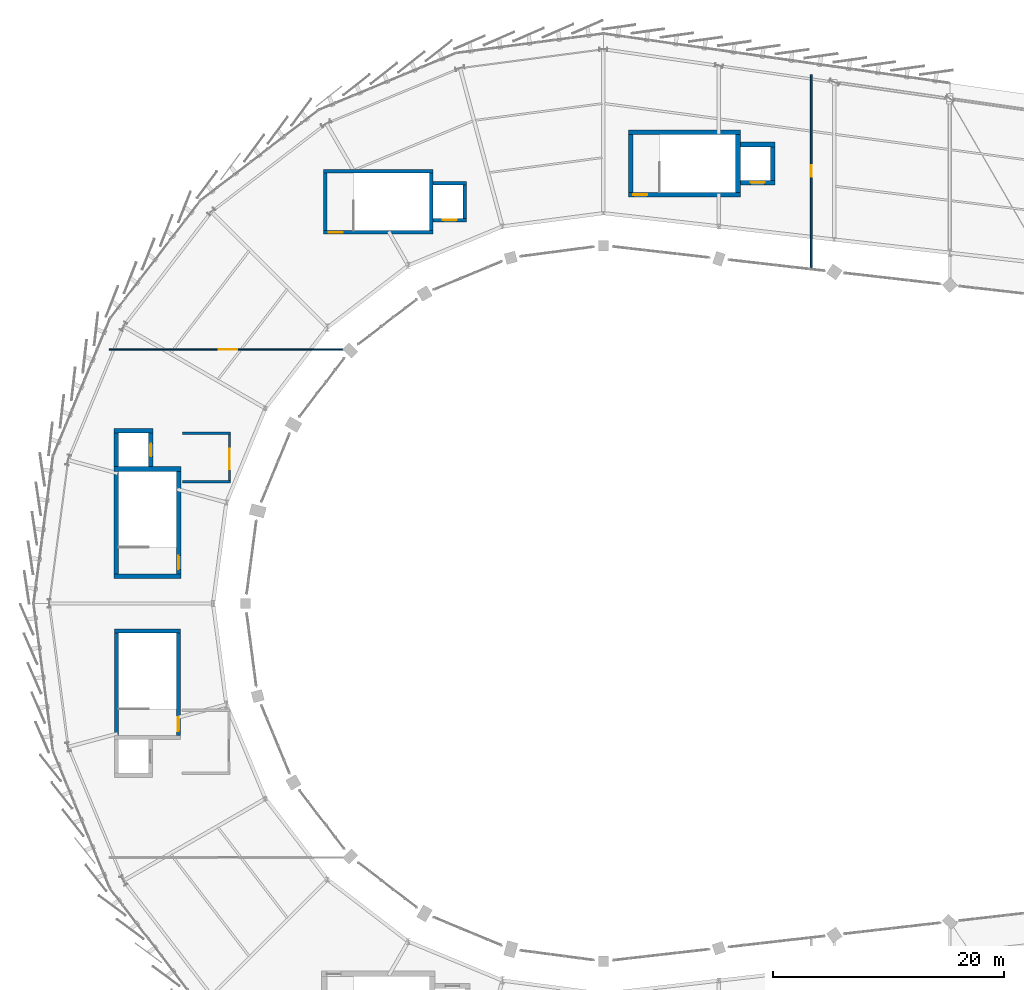
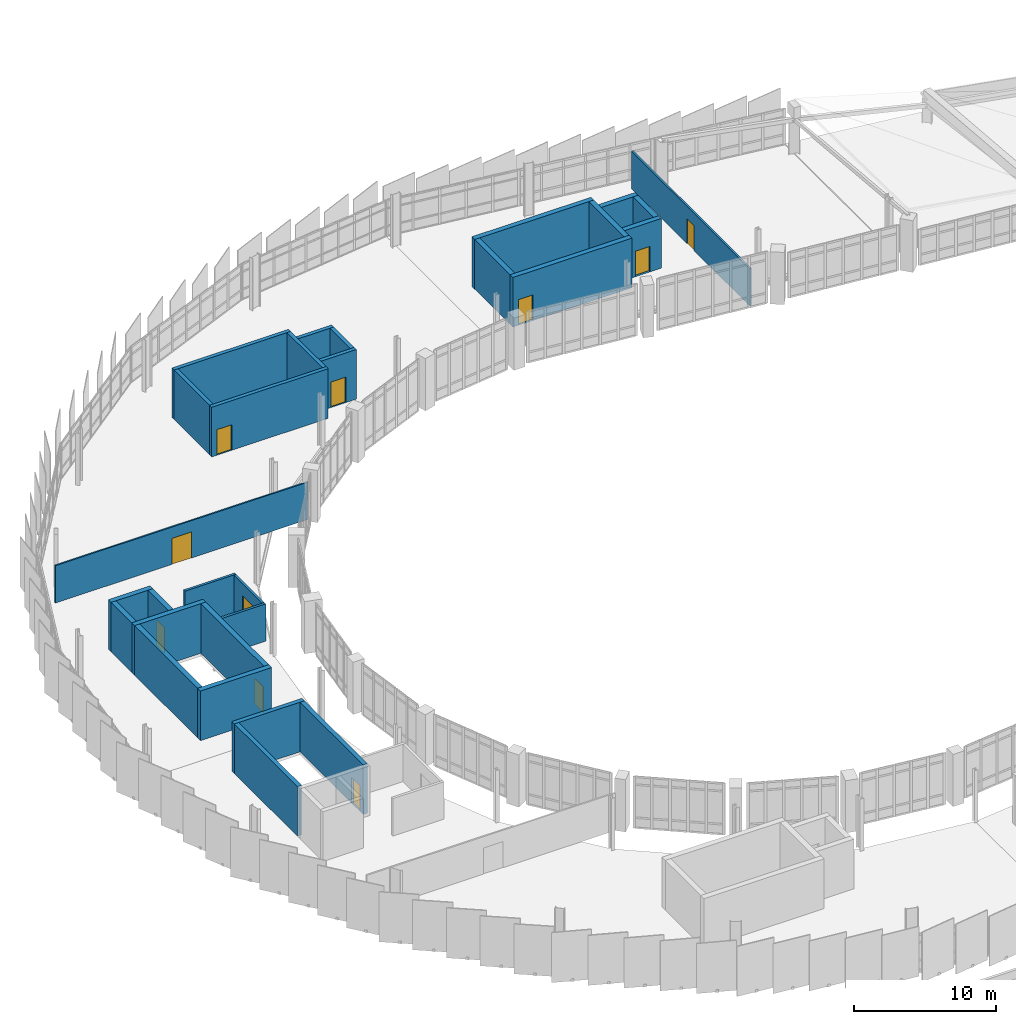
# One storey, part 63 of 67: 29 walls, 10 doors, 10 openings.
"""IFC4 building model written with IfcOpenShell, lengths in metres."""

from ifc_helpers import new_model, si_unit, direction, frame, frame_2d, origin, place, context, subcontext, project, spatial, rectangle, extrude, material, layer, layer_set, type_object, element, fill, save


model = new_model("IFC4")

# Units and contexts
model_context = context("Model", 3, precision=1e-05, world=origin(), true_north=direction((0.0, 1.0)))
body_context = subcontext(model_context, "Body", "Model", "MODEL_VIEW")
ifc_project = project(units=[si_unit("LENGTHUNIT", "METRE"), si_unit("AREAUNIT", "SQUARE_METRE"), si_unit("VOLUMEUNIT", "CUBIC_METRE"), si_unit("PLANEANGLEUNIT", "RADIAN"), si_unit("MASSUNIT", "GRAM", prefix="KILO")], contexts=[model_context])

# Site, building, storey
site_placement = place(None, origin())
site = spatial("IfcSite", under=ifc_project, at=site_placement, CompositionType="ELEMENT")
building_placement = place(site_placement, origin())
building = spatial("IfcBuilding", under=site, at=building_placement, Name="Sohan Crest Arena", CompositionType="ELEMENT")
storey_placement = place(building_placement, frame((0.0, 0.0, 22.5)))
storey = spatial("IfcBuildingStorey", under=building, at=storey_placement, Name="L05", CompositionType="ELEMENT", Elevation=22.5)

# Walls
ifc_material_1 = material(Name="Fire-rated masonry blockwork compartment wall", Category="masonry")
ifc_layer_1 = layer(ifc_material_1, 0.199951171875, Name="Fire-rated masonry blockwork compartment wall")
ifc_layer_set_1 = layer_set([ifc_layer_1], Name="Fire-rated masonry blockwork compartment wall")
wall_type_1 = type_object("IfcWallType", Name="WAL-FW01", PredefinedType="PARTITIONING", material=ifc_layer_set_1)
for number, where, z_axis, x_axis, name in (
    (1, (61.5400390625, 88.550048828125, 0.0), (0.0, 0.0, 1.0), (1.0, 0.0, 0.0), "Interior partition wall PW-0138"),
    (2, (61.5400390625, 92.75, 0.0), (0.0, 0.0, 1.0), (1.0, 0.0, 0.0), "Interior partition wall PW-0139"),
):
    element("IfcWall", number, at=place(storey_placement, frame(where, z_axis=z_axis, x_axis=x_axis)), inside=storey, type_object=wall_type_1, Name=name, PredefinedType="PARTITIONING", context=body_context, shape_type="SweptSolid", body=[
        extrude(rectangle(XDim=4.179931640625, YDim=0.199951171875, at=frame_2d((2.08984375, 0.0))), origin(), (0.0, 0.0, 1.0), 3.219970703125),
    ])

# Wall, opening, door
wall_1_placement = place(storey_placement, frame((65.6201171875, 88.669921875, 0.0), z_axis=(0.0, 0.0, 1.0), x_axis=(0.0, 1.0, 0.0)))
wall_1 = element("IfcWall", 3, at=wall_1_placement, inside=storey, type_object=wall_type_1, Name="Interior partition wall PW-0140", PredefinedType="PARTITIONING", context=body_context, shape_type="SweptSolid", body=[
    extrude(rectangle(XDim=3.9599609375, YDim=0.199951171875, at=frame_2d((1.97998046875, 0.0))), origin(), (0.0, 0.0, 1.0), 3.219970703125),
])
opening_1_placement = place(wall_1_placement, frame((0.949951171875, 0.0, 0.0)))
opening_1 = element("IfcOpeningElement", 4, at=opening_1_placement, cuts=wall_1, Name="Opening FFL-0042", PredefinedType="OPENING", context=body_context, shape_type="SweptSolid", body=[
    extrude(rectangle(XDim=1.800048828125, YDim=2.199951171875, at=frame_2d((0.89990234375, 1.10009765625))), frame((0.0, 0.10986328125, 0.0), z_axis=(0.0, -1.0, 0.0), x_axis=(1.0, 0.0, 0.0)), (0.0, 0.0, 1.0), 0.219970703125),
])
ifc_material_2 = material(Name="Fire-rated timber-faced lobby double door", Category="wood")
door_type_1 = type_object("IfcDoorType", Name="DR-FD03", OperationType="DOUBLE_DOOR_SINGLE_SWING", PredefinedType="DOOR", material=ifc_material_2)
door_1_placement = place(opening_1_placement, origin())
door_1 = element("IfcDoor", 5, at=door_1_placement, inside=storey, type_object=door_type_1, Name="Firefighting lift lobby door FL02 FFL-0042", OperationType="DOUBLE_DOOR_SINGLE_SWING", OverallHeight=2.199951171875, OverallWidth=1.800048828125, PredefinedType="DOOR", context=body_context, shape_type="SweptSolid", body=[
    extrude(rectangle(XDim=1.800048828125, YDim=2.199951171875, at=frame_2d((0.89990234375, 1.10009765625))), frame((0.0, 0.02490234375, 0.0), z_axis=(0.0, -1.0, 0.0), x_axis=(1.0, 0.0, 0.0)), (0.0, 0.0, 1.0), 0.050048828125),
])
fill(opening_1, door_1)

ifc_material_3 = material(Name="Acoustic gypsum stud room partition", Category="masonry")
ifc_layer_2 = layer(ifc_material_3, 0.1201171875, Name="Acoustic gypsum stud room partition")
ifc_layer_set_2 = layer_set([ifc_layer_2], Name="Acoustic gypsum stud room partition")
wall_type_2 = type_object("IfcWallType", Name="WAL-PW01", PredefinedType="PARTITIONING", material=ifc_layer_set_2)
wall_2_placement = place(storey_placement, frame((55.199951171875, 100.0, 0.0), z_axis=(0.0, 0.0, 1.0), x_axis=(1.0, 0.0, 0.0)))
wall_2 = element("IfcWall", 6, at=wall_2_placement, inside=storey, type_object=wall_type_2, Name="Interior partition wall PW-0946", PredefinedType="PARTITIONING", context=body_context, shape_type="SweptSolid", body=[
    extrude(rectangle(XDim=20.60009765625, YDim=0.1201171875, at=frame_2d((10.300048828125, 0.0))), origin(), (0.0, 0.0, 1.0), 3.219970703125),
])
opening_2_placement = place(wall_2_placement, frame((9.5, 0.0, 0.0)))
opening_2 = element("IfcOpeningElement", 7, at=opening_2_placement, cuts=wall_2, Name="Opening SKY-0292", PredefinedType="OPENING", context=body_context, shape_type="SweptSolid", body=[
    extrude(rectangle(XDim=1.60009765625, YDim=2.25, at=frame_2d((0.800048828125, 1.125))), frame((0.0, 0.070068359375, 0.0), z_axis=(0.0, -1.0, 0.0), x_axis=(1.0, 0.0, 0.0)), (0.0, 0.0, 1.0), 0.14013671875),
])
ifc_material_4 = material(Name="Solid oak acoustic club lounge double door", Category="wood")
door_type_2 = type_object("IfcDoorType", Name="DR-ID01", OperationType="DOUBLE_DOOR_SINGLE_SWING", PredefinedType="DOOR", material=ifc_material_4)
door_2_placement = place(opening_2_placement, origin())
door_2 = element("IfcDoor", 8, at=door_2_placement, inside=storey, type_object=door_type_2, Name="Panoramic viewing lounge door SKY-0292", OperationType="DOUBLE_DOOR_SINGLE_SWING", OverallHeight=2.25, OverallWidth=1.60009765625, PredefinedType="DOOR", context=body_context, shape_type="SweptSolid", body=[
    extrude(rectangle(XDim=1.60009765625, YDim=2.25, at=frame_2d((0.800048828125, 1.125))), frame((0.0, 0.02490234375, 0.0), z_axis=(0.0, -1.0, 0.0), x_axis=(1.0, 0.0, 0.0)), (0.0, 0.0, 1.0), 0.050048828125),
])
fill(opening_2, door_2)

ifc_material_5 = material(Name="Wet-area moisture-resistant masonry partition", Category="masonry")
ifc_layer_3 = layer(ifc_material_5, 0.14990234375, Name="Wet-area moisture-resistant masonry partition")
ifc_layer_set_3 = layer_set([ifc_layer_3], Name="Wet-area moisture-resistant masonry partition")
wall_type_3 = type_object("IfcWallType", Name="WAL-PW03", PredefinedType="PARTITIONING", material=ifc_layer_set_3)
wall_3_placement = place(storey_placement, frame((116.0, 107.10009765625, 0.0), z_axis=(0.0, 0.0, 1.0), x_axis=(0.0, 1.0, 0.0)))
wall_3 = element("IfcWall", 9, at=wall_3_placement, inside=storey, type_object=wall_type_3, Name="Interior partition wall PW-0948", PredefinedType="PARTITIONING", context=body_context, shape_type="SweptSolid", body=[
    extrude(rectangle(XDim=16.699951171875, YDim=0.14990234375, at=frame_2d((8.35009765625, 0.0))), origin(), (0.0, 0.0, 1.0), 3.219970703125),
])
opening_3_placement = place(wall_3_placement, frame((7.840087890625, 0.0, 0.0)))
opening_3 = element("IfcOpeningElement", 10, at=opening_3_placement, cuts=wall_3, Name="Opening WC-0294", PredefinedType="OPENING", context=body_context, shape_type="SweptSolid", body=[
    extrude(rectangle(XDim=1.02001953125, YDim=2.14990234375, at=frame_2d((0.510009765625, 1.074951171875))), frame((0.0, 0.0849609375, 0.0), z_axis=(0.0, -1.0, 0.0), x_axis=(1.0, 0.0, 0.0)), (0.0, 0.0, 1.0), 0.169921875),
])
ifc_material_6 = material(Name="Accessible toilet and dressing room door", Category="wood")
door_type_3 = type_object("IfcDoorType", Name="DR-ID03", OperationType="NOTDEFINED", PredefinedType="DOOR", material=ifc_material_6)
door_3_placement = place(opening_3_placement, origin())
door_3 = element("IfcDoor", 11, at=door_3_placement, inside=storey, type_object=door_type_3, Name="Sky concourse accessible WC door WC-0294", OperationType="SINGLE_SWING_RIGHT", OverallHeight=2.14990234375, OverallWidth=1.02001953125, PredefinedType="DOOR", context=body_context, shape_type="SweptSolid", body=[
    extrude(rectangle(XDim=1.02001953125, YDim=2.14990234375, at=frame_2d((0.510009765625, 1.074951171875))), frame((0.0, 0.02490234375, 0.0), z_axis=(0.0, -1.0, 0.0), x_axis=(1.0, 0.0, 0.0)), (0.0, 0.0, 1.0), 0.050048828125),
])
fill(opening_3, door_3)

# Walls
ifc_material_7 = material(Name="Concrete C40/50", Category="concrete")
ifc_layer_4 = layer(ifc_material_7, 0.300048828125, Name="Concrete C40/50")
ifc_layer_set_4 = layer_set([ifc_layer_4], Name="Concrete C40/50")
wall_type_4 = type_object("IfcWallType", Name="WAL-SW01", PredefinedType="SHEAR", material=ifc_layer_set_4)
for number, where, z_axis, x_axis, name in (
    (12, (73.89990234375, 110.300048828125, 0.0), (0.0, 0.0, 1.0), (0.0, 1.0, 0.0), "Core shear wall SW-0232"),
    (13, (83.10009765625, 110.300048828125, 0.0), (0.0, 0.0, 1.0), (0.0, 1.0, 0.0), "Core shear wall SW-0233"),
):
    element("IfcWall", number, at=place(storey_placement, frame(where, z_axis=z_axis, x_axis=x_axis)), inside=storey, type_object=wall_type_4, Name=name, PredefinedType="SHEAR", context=body_context, shape_type="SweptSolid", body=[
        extrude(rectangle(XDim=5.0, YDim=0.300048828125, at=frame_2d((2.5, 0.0))), origin(), (0.0, 0.0, 1.0), 4.280029296875),
    ])

# Wall, opening, door
wall_4_placement = place(storey_placement, frame((73.75, 110.14990234375, 0.0), z_axis=(0.0, 0.0, 1.0), x_axis=(1.0, 0.0, 0.0)))
wall_4 = element("IfcWall", 14, at=wall_4_placement, inside=storey, type_object=wall_type_4, Name="Core shear wall SW-0234", PredefinedType="SHEAR", context=body_context, shape_type="SweptSolid", body=[
    extrude(rectangle(XDim=9.5, YDim=0.300048828125, at=frame_2d((4.75, 0.0))), origin(), (0.0, 0.0, 1.0), 4.280029296875),
])
opening_4_placement = place(wall_4_placement, frame((0.449951171875, 0.0, 0.0)))
opening_4 = element("IfcOpeningElement", 15, at=opening_4_placement, cuts=wall_4, Name="Opening SD-0069", PredefinedType="OPENING", context=body_context, shape_type="SweptSolid", body=[
    extrude(rectangle(XDim=1.199951171875, YDim=2.199951171875, at=frame_2d((0.60009765625, 1.10009765625))), frame((0.0, 0.159912109375, 0.0), z_axis=(0.0, -1.0, 0.0), x_axis=(1.0, 0.0, 0.0)), (0.0, 0.0, 1.0), 0.320068359375),
])
ifc_material_8 = material(Name="Fire-rated steel stair and lobby door", Category="steel")
door_type_4 = type_object("IfcDoorType", Name="DR-FD04", OperationType="NOTDEFINED", PredefinedType="DOOR", material=ifc_material_8)
door_4_placement = place(opening_4_placement, frame((1.199951171875, 0.0, 0.0), z_axis=(0.0, 0.0, 1.0), x_axis=(-1.0, 0.0, 0.0)))
door_4 = element("IfcDoor", 16, at=door_4_placement, inside=storey, type_object=door_type_4, Name="Protected stair door SD-0069", OperationType="SINGLE_SWING_RIGHT", OverallHeight=2.199951171875, OverallWidth=1.199951171875, PredefinedType="DOOR", context=body_context, shape_type="SweptSolid", body=[
    extrude(rectangle(XDim=1.199951171875, YDim=2.199951171875, at=frame_2d((0.60009765625, 1.10009765625))), frame((0.0, 0.02490234375, 0.0), z_axis=(0.0, -1.0, 0.0), x_axis=(1.0, 0.0, 0.0)), (0.0, 0.0, 1.0), 0.050048828125),
])
fill(opening_4, door_4)

# Walls
wall_5_placement = place(storey_placement, frame((73.75, 115.449951171875, 0.0), z_axis=(0.0, 0.0, 1.0), x_axis=(1.0, 0.0, 0.0)))
element("IfcWall", 17, at=wall_5_placement, inside=storey, type_object=wall_type_4, Name="Core shear wall SW-0235", PredefinedType="SHEAR", context=body_context, shape_type="SweptSolid", body=[
    extrude(rectangle(XDim=9.5, YDim=0.300048828125, at=frame_2d((4.75, 0.0))), origin(), (0.0, 0.0, 1.0), 4.280029296875),
])
wall_6_placement = place(storey_placement, frame((86.0, 111.35009765625, 0.0), z_axis=(0.0, 0.0, 1.0), x_axis=(0.0, 1.0, 0.0)))
element("IfcWall", 18, at=wall_6_placement, inside=storey, type_object=wall_type_4, Name="Core shear wall SW-0236", PredefinedType="SHEAR", context=body_context, shape_type="SweptSolid", body=[
    extrude(rectangle(XDim=2.89990234375, YDim=0.300048828125, at=frame_2d((1.449951171875, 0.0))), origin(), (0.0, 0.0, 1.0), 4.280029296875),
])

# Wall, opening, door
wall_7_placement = place(storey_placement, frame((83.25, 111.199951171875, 0.0), z_axis=(0.0, 0.0, 1.0), x_axis=(1.0, 0.0, 0.0)))
wall_7 = element("IfcWall", 19, at=wall_7_placement, inside=storey, type_object=wall_type_4, Name="Core shear wall SW-0237", PredefinedType="SHEAR", context=body_context, shape_type="SweptSolid", body=[
    extrude(rectangle(XDim=2.89990234375, YDim=0.300048828125, at=frame_2d((1.449951171875, 0.0))), origin(), (0.0, 0.0, 1.0), 4.280029296875),
])
opening_5_placement = place(wall_7_placement, frame((0.85009765625, 0.0, 0.0)))
opening_5 = element("IfcOpeningElement", 20, at=opening_5_placement, cuts=wall_7, Name="Opening LD-LP02-L05", PredefinedType="OPENING", context=body_context, shape_type="SweptSolid", body=[
    extrude(rectangle(XDim=1.199951171875, YDim=2.199951171875, at=frame_2d((0.60009765625, 1.10009765625))), frame((0.0, 0.159912109375, 0.0), z_axis=(0.0, -1.0, 0.0), x_axis=(1.0, 0.0, 0.0)), (0.0, 0.0, 1.0), 0.320068359375),
])
ifc_material_9 = material(Name="Stainless steel passenger lift landing door", Category="steel")
door_type_5 = type_object("IfcDoorType", Name="DR-LD02", OperationType="SLIDING_TO_LEFT", PredefinedType="DOOR", material=ifc_material_9)
door_5_placement = place(opening_5_placement, origin())
door_5 = element("IfcDoor", 21, at=door_5_placement, inside=storey, type_object=door_type_5, Name="Sliding lift landing door LD-LP02-L05", OperationType="SLIDING_TO_LEFT", OverallHeight=2.199951171875, OverallWidth=1.199951171875, PredefinedType="DOOR", context=body_context, shape_type="SweptSolid", body=[
    extrude(rectangle(XDim=1.199951171875, YDim=2.199951171875, at=frame_2d((0.60009765625, 1.10009765625))), frame((0.0, 0.02490234375, 0.0), z_axis=(0.0, -1.0, 0.0), x_axis=(1.0, 0.0, 0.0)), (0.0, 0.0, 1.0), 0.050048828125),
])
fill(opening_5, door_5)

# Walls
wall_8_placement = place(storey_placement, frame((83.25, 114.39990234375, 0.0), z_axis=(0.0, 0.0, 1.0), x_axis=(1.0, 0.0, 0.0)))
element("IfcWall", 22, at=wall_8_placement, inside=storey, type_object=wall_type_4, Name="Core shear wall SW-0238", PredefinedType="SHEAR", context=body_context, shape_type="SweptSolid", body=[
    extrude(rectangle(XDim=2.89990234375, YDim=0.300048828125, at=frame_2d((1.449951171875, 0.0))), origin(), (0.0, 0.0, 1.0), 4.280029296875),
])
ifc_layer_5 = layer(ifc_material_7, 0.35009765625, Name="Concrete C40/50")
ifc_layer_set_5 = layer_set([ifc_layer_5], Name="Concrete C40/50")
wall_type_5 = type_object("IfcWallType", Name="WAL-SW02", PredefinedType="SHEAR", material=ifc_layer_set_5)
wall_9_placement = place(storey_placement, frame((55.64990234375, 75.625, 0.0), z_axis=(0.0, 0.0, 1.0), x_axis=(1.0, 0.0, 0.0)))
element("IfcWall", 23, at=wall_9_placement, inside=storey, type_object=wall_type_5, Name="Core shear wall SW-0062", PredefinedType="SHEAR", context=body_context, shape_type="SweptSolid", body=[
    extrude(rectangle(XDim=5.7001953125, YDim=0.35009765625, at=frame_2d((2.85009765625, 0.0))), origin(), (0.0, 0.0, 1.0), 4.280029296875),
])
wall_10_placement = place(storey_placement, frame((55.824951171875, 66.550048828125, 0.0), z_axis=(0.0, 0.0, 1.0), x_axis=(0.0, 1.0, 0.0)))
element("IfcWall", 24, at=wall_10_placement, inside=storey, type_object=wall_type_5, Name="Core shear wall SW-0063", PredefinedType="SHEAR", context=body_context, shape_type="SweptSolid", body=[
    extrude(rectangle(XDim=8.89990234375, YDim=0.35009765625, at=frame_2d((4.449951171875, 0.0))), origin(), (0.0, 0.0, 1.0), 4.280029296875),
])

# Wall, opening, door
wall_11_placement = place(storey_placement, frame((61.175048828125, 66.550048828125, 0.0), z_axis=(0.0, 0.0, 1.0), x_axis=(0.0, 1.0, 0.0)))
wall_11 = element("IfcWall", 25, at=wall_11_placement, inside=storey, type_object=wall_type_5, Name="Core shear wall SW-0064", PredefinedType="SHEAR", context=body_context, shape_type="SweptSolid", body=[
    extrude(rectangle(XDim=8.89990234375, YDim=0.35009765625, at=frame_2d((4.449951171875, 0.0))), origin(), (0.0, 0.0, 1.0), 4.280029296875),
])
opening_6_placement = place(wall_11_placement, frame((0.39990234375, 0.0, 0.0)))
opening_6 = element("IfcOpeningElement", 26, at=opening_6_placement, cuts=wall_11, Name="Opening SD-0019", PredefinedType="OPENING", context=body_context, shape_type="SweptSolid", body=[
    extrude(rectangle(XDim=1.199951171875, YDim=2.199951171875, at=frame_2d((0.60009765625, 1.10009765625))), frame((0.0, 0.18505859375, 0.0), z_axis=(0.0, -1.0, 0.0), x_axis=(1.0, 0.0, 0.0)), (0.0, 0.0, 1.0), 0.3701171875),
])
door_6_placement = place(opening_6_placement, origin())
door_6 = element("IfcDoor", 27, at=door_6_placement, inside=storey, type_object=door_type_4, Name="Protected stair door SD-0019", OperationType="SINGLE_SWING_RIGHT", OverallHeight=2.199951171875, OverallWidth=1.199951171875, PredefinedType="DOOR", context=body_context, shape_type="SweptSolid", body=[
    extrude(rectangle(XDim=1.199951171875, YDim=2.199951171875, at=frame_2d((0.60009765625, 1.10009765625))), frame((0.0, 0.02490234375, 0.0), z_axis=(0.0, -1.0, 0.0), x_axis=(1.0, 0.0, 0.0)), (0.0, 0.0, 1.0), 0.050048828125),
])
fill(opening_6, door_6)

# Walls
ifc_layer_6 = layer(ifc_material_7, 0.39990234375, Name="Concrete C40/50")
ifc_layer_set_6 = layer_set([ifc_layer_6], Name="Concrete C40/50")
wall_type_6 = type_object("IfcWallType", Name="WAL-SW03", PredefinedType="SHEAR", material=ifc_layer_set_6)
for number, where, z_axis, x_axis, name in (
    (28, (55.60009765625, 80.35009765625, 0.0), (0.0, 0.0, 1.0), (1.0, 0.0, 0.0), "Core shear wall SW-0131"),
    (29, (55.60009765625, 89.64990234375, 0.0), (0.0, 0.0, 1.0), (1.0, 0.0, 0.0), "Core shear wall SW-0132"),
):
    element("IfcWall", number, at=place(storey_placement, frame(where, z_axis=z_axis, x_axis=x_axis)), inside=storey, type_object=wall_type_6, Name=name, PredefinedType="SHEAR", context=body_context, shape_type="SweptSolid", body=[
        extrude(rectangle(XDim=5.7998046875, YDim=0.39990234375, at=frame_2d((2.89990234375, 0.0))), origin(), (0.0, 0.0, 1.0), 4.280029296875),
    ])
wall_12_placement = place(storey_placement, frame((55.800048828125, 80.550048828125, 0.0), z_axis=(0.0, 0.0, 1.0), x_axis=(0.0, 1.0, 0.0)))
element("IfcWall", 30, at=wall_12_placement, inside=storey, type_object=wall_type_6, Name="Core shear wall SW-0133", PredefinedType="SHEAR", context=body_context, shape_type="SweptSolid", body=[
    extrude(rectangle(XDim=8.89990234375, YDim=0.39990234375, at=frame_2d((4.449951171875, 0.0))), origin(), (0.0, 0.0, 1.0), 4.280029296875),
])

# Wall, opening, door
wall_13_placement = place(storey_placement, frame((61.199951171875, 80.550048828125, 0.0), z_axis=(0.0, 0.0, 1.0), x_axis=(0.0, 1.0, 0.0)))
wall_13 = element("IfcWall", 31, at=wall_13_placement, inside=storey, type_object=wall_type_6, Name="Core shear wall SW-0134", PredefinedType="SHEAR", context=body_context, shape_type="SweptSolid", body=[
    extrude(rectangle(XDim=8.89990234375, YDim=0.39990234375, at=frame_2d((4.449951171875, 0.0))), origin(), (0.0, 0.0, 1.0), 4.280029296875),
])
opening_7_placement = place(wall_13_placement, frame((0.39990234375, 0.0, 0.0)))
opening_7 = element("IfcOpeningElement", 32, at=opening_7_placement, cuts=wall_13, Name="Opening SD-0040", PredefinedType="OPENING", context=body_context, shape_type="SweptSolid", body=[
    extrude(rectangle(XDim=1.199951171875, YDim=2.199951171875, at=frame_2d((0.60009765625, 1.10009765625))), frame((0.0, 0.2099609375, 0.0), z_axis=(0.0, -1.0, 0.0), x_axis=(1.0, 0.0, 0.0)), (0.0, 0.0, 1.0), 0.419921875),
])
door_7_placement = place(opening_7_placement, origin())
door_7 = element("IfcDoor", 33, at=door_7_placement, inside=storey, type_object=door_type_4, Name="Protected stair door SD-0040", OperationType="SINGLE_SWING_RIGHT", OverallHeight=2.199951171875, OverallWidth=1.199951171875, PredefinedType="DOOR", context=body_context, shape_type="SweptSolid", body=[
    extrude(rectangle(XDim=1.199951171875, YDim=2.199951171875, at=frame_2d((0.60009765625, 1.10009765625))), frame((0.0, 0.02490234375, 0.0), z_axis=(0.0, -1.0, 0.0), x_axis=(1.0, 0.0, 0.0)), (0.0, 0.0, 1.0), 0.050048828125),
])
fill(opening_7, door_7)

# Wall
wall_14_placement = place(storey_placement, frame((55.800048828125, 89.85009765625, 0.0), z_axis=(0.0, 0.0, 1.0), x_axis=(0.0, 1.0, 0.0)))
element("IfcWall", 34, at=wall_14_placement, inside=storey, type_object=wall_type_6, Name="Core shear wall SW-0135", PredefinedType="SHEAR", context=body_context, shape_type="SweptSolid", body=[
    extrude(rectangle(XDim=2.89990234375, YDim=0.39990234375, at=frame_2d((1.449951171875, 0.0))), origin(), (0.0, 0.0, 1.0), 4.280029296875),
])

# Wall, opening, door
wall_15_placement = place(storey_placement, frame((58.800048828125, 89.85009765625, 0.0), z_axis=(0.0, 0.0, 1.0), x_axis=(0.0, 1.0, 0.0)))
wall_15 = element("IfcWall", 35, at=wall_15_placement, inside=storey, type_object=wall_type_6, Name="Core shear wall SW-0136", PredefinedType="SHEAR", context=body_context, shape_type="SweptSolid", body=[
    extrude(rectangle(XDim=2.89990234375, YDim=0.39990234375, at=frame_2d((1.449951171875, 0.0))), origin(), (0.0, 0.0, 1.0), 4.280029296875),
])
opening_8_placement = place(wall_15_placement, frame((0.89990234375, 0.0, 0.0)))
opening_8 = element("IfcOpeningElement", 36, at=opening_8_placement, cuts=wall_15, Name="Opening LD-FL02-L05", PredefinedType="OPENING", context=body_context, shape_type="SweptSolid", body=[
    extrude(rectangle(XDim=1.10009765625, YDim=2.199951171875, at=frame_2d((0.550048828125, 1.10009765625))), frame((0.0, 0.2099609375, 0.0), z_axis=(0.0, -1.0, 0.0), x_axis=(1.0, 0.0, 0.0)), (0.0, 0.0, 1.0), 0.419921875),
])
ifc_material_10 = material(Name="Stainless steel firefighting lift landing door", Category="steel")
door_type_6 = type_object("IfcDoorType", Name="DR-LD01", OperationType="SLIDING_TO_LEFT", PredefinedType="DOOR", material=ifc_material_10)
door_8_placement = place(opening_8_placement, origin())
door_8 = element("IfcDoor", 37, at=door_8_placement, inside=storey, type_object=door_type_6, Name="Sliding lift landing door LD-FL02-L05", OperationType="SLIDING_TO_LEFT", OverallHeight=2.199951171875, OverallWidth=1.10009765625, PredefinedType="DOOR", context=body_context, shape_type="SweptSolid", body=[
    extrude(rectangle(XDim=1.10009765625, YDim=2.199951171875, at=frame_2d((0.550048828125, 1.10009765625))), frame((0.0, 0.02490234375, 0.0), z_axis=(0.0, -1.0, 0.0), x_axis=(1.0, 0.0, 0.0)), (0.0, 0.0, 1.0), 0.050048828125),
])
fill(opening_8, door_8)

# Walls
wall_16_placement = place(storey_placement, frame((55.60009765625, 92.949951171875, 0.0), z_axis=(0.0, 0.0, 1.0), x_axis=(1.0, 0.0, 0.0)))
element("IfcWall", 38, at=wall_16_placement, inside=storey, type_object=wall_type_6, Name="Core shear wall SW-0137", PredefinedType="SHEAR", context=body_context, shape_type="SweptSolid", body=[
    extrude(rectangle(XDim=3.39990234375, YDim=0.39990234375, at=frame_2d((1.699951171875, 0.0))), origin(), (0.0, 0.0, 1.0), 4.280029296875),
])
for number, where, z_axis, x_axis, name in (
    (39, (100.35009765625, 113.60009765625, 0.0), (0.0, 0.0, 1.0), (0.0, 1.0, 0.0), "Core shear wall SW-0324"),
    (40, (109.64990234375, 113.60009765625, 0.0), (0.0, 0.0, 1.0), (0.0, 1.0, 0.0), "Core shear wall SW-0325"),
):
    element("IfcWall", number, at=place(storey_placement, frame(where, z_axis=z_axis, x_axis=x_axis)), inside=storey, type_object=wall_type_6, Name=name, PredefinedType="SHEAR", context=body_context, shape_type="SweptSolid", body=[
        extrude(rectangle(XDim=5.0, YDim=0.39990234375, at=frame_2d((2.5, 0.0))), origin(), (0.0, 0.0, 1.0), 4.280029296875),
    ])

# Wall, opening, door
wall_17_placement = place(storey_placement, frame((100.14990234375, 113.39990234375, 0.0), z_axis=(0.0, 0.0, 1.0), x_axis=(1.0, 0.0, 0.0)))
wall_17 = element("IfcWall", 41, at=wall_17_placement, inside=storey, type_object=wall_type_6, Name="Core shear wall SW-0326", PredefinedType="SHEAR", context=body_context, shape_type="SweptSolid", body=[
    extrude(rectangle(XDim=9.7001953125, YDim=0.39990234375, at=frame_2d((4.85009765625, 0.0))), origin(), (0.0, 0.0, 1.0), 4.280029296875),
])
opening_9_placement = place(wall_17_placement, frame((0.449951171875, 0.0, 0.0)))
opening_9 = element("IfcOpeningElement", 42, at=opening_9_placement, cuts=wall_17, Name="Opening SD-0093", PredefinedType="OPENING", context=body_context, shape_type="SweptSolid", body=[
    extrude(rectangle(XDim=1.199951171875, YDim=2.199951171875, at=frame_2d((0.60009765625, 1.10009765625))), frame((0.0, 0.2099609375, 0.0), z_axis=(0.0, -1.0, 0.0), x_axis=(1.0, 0.0, 0.0)), (0.0, 0.0, 1.0), 0.419921875),
])
door_9_placement = place(opening_9_placement, frame((1.199951171875, 0.0, 0.0), z_axis=(0.0, 0.0, 1.0), x_axis=(-1.0, 0.0, 0.0)))
door_9 = element("IfcDoor", 43, at=door_9_placement, inside=storey, type_object=door_type_4, Name="Protected stair door SD-0093", OperationType="SINGLE_SWING_RIGHT", OverallHeight=2.199951171875, OverallWidth=1.199951171875, PredefinedType="DOOR", context=body_context, shape_type="SweptSolid", body=[
    extrude(rectangle(XDim=1.199951171875, YDim=2.199951171875, at=frame_2d((0.60009765625, 1.10009765625))), frame((0.0, 0.02490234375, 0.0), z_axis=(0.0, -1.0, 0.0), x_axis=(1.0, 0.0, 0.0)), (0.0, 0.0, 1.0), 0.050048828125),
])
fill(opening_9, door_9)

# Walls
wall_18_placement = place(storey_placement, frame((100.14990234375, 118.800048828125, 0.0), z_axis=(0.0, 0.0, 1.0), x_axis=(1.0, 0.0, 0.0)))
element("IfcWall", 44, at=wall_18_placement, inside=storey, type_object=wall_type_6, Name="Core shear wall SW-0327", PredefinedType="SHEAR", context=body_context, shape_type="SweptSolid", body=[
    extrude(rectangle(XDim=9.7001953125, YDim=0.39990234375, at=frame_2d((4.85009765625, 0.0))), origin(), (0.0, 0.0, 1.0), 4.280029296875),
])
wall_19_placement = place(storey_placement, frame((112.64990234375, 114.64990234375, 0.0), z_axis=(0.0, 0.0, 1.0), x_axis=(0.0, 1.0, 0.0)))
element("IfcWall", 45, at=wall_19_placement, inside=storey, type_object=wall_type_6, Name="Core shear wall SW-0328", PredefinedType="SHEAR", context=body_context, shape_type="SweptSolid", body=[
    extrude(rectangle(XDim=2.900146484375, YDim=0.39990234375, at=frame_2d((1.4501953125, 0.0))), origin(), (0.0, 0.0, 1.0), 4.280029296875),
])

# Wall, opening, door
wall_20_placement = place(storey_placement, frame((109.85009765625, 114.449951171875, 0.0), z_axis=(0.0, 0.0, 1.0), x_axis=(1.0, 0.0, 0.0)))
wall_20 = element("IfcWall", 46, at=wall_20_placement, inside=storey, type_object=wall_type_6, Name="Core shear wall SW-0329", PredefinedType="SHEAR", context=body_context, shape_type="SweptSolid", body=[
    extrude(rectangle(XDim=3.0, YDim=0.39990234375, at=frame_2d((1.5, 0.0))), origin(), (0.0, 0.0, 1.0), 4.280029296875),
])
opening_10_placement = place(wall_20_placement, frame((0.89990234375, 0.0, 0.0)))
opening_10 = element("IfcOpeningElement", 47, at=opening_10_placement, cuts=wall_20, Name="Opening LD-LP04-L05", PredefinedType="OPENING", context=body_context, shape_type="SweptSolid", body=[
    extrude(rectangle(XDim=1.199951171875, YDim=2.199951171875, at=frame_2d((0.60009765625, 1.10009765625))), frame((0.0, 0.2099609375, 0.0), z_axis=(0.0, -1.0, 0.0), x_axis=(1.0, 0.0, 0.0)), (0.0, 0.0, 1.0), 0.419921875),
])
door_10_placement = place(opening_10_placement, origin())
door_10 = element("IfcDoor", 48, at=door_10_placement, inside=storey, type_object=door_type_5, Name="Sliding lift landing door LD-LP04-L05", OperationType="SLIDING_TO_LEFT", OverallHeight=2.199951171875, OverallWidth=1.199951171875, PredefinedType="DOOR", context=body_context, shape_type="SweptSolid", body=[
    extrude(rectangle(XDim=1.199951171875, YDim=2.199951171875, at=frame_2d((0.60009765625, 1.10009765625))), frame((0.0, 0.02490234375, 0.0), z_axis=(0.0, -1.0, 0.0), x_axis=(1.0, 0.0, 0.0)), (0.0, 0.0, 1.0), 0.050048828125),
])
fill(opening_10, door_10)

# Wall
wall_21_placement = place(storey_placement, frame((109.85009765625, 117.75, 0.0), z_axis=(0.0, 0.0, 1.0), x_axis=(1.0, 0.0, 0.0)))
element("IfcWall", 49, at=wall_21_placement, inside=storey, type_object=wall_type_6, Name="Core shear wall SW-0330", PredefinedType="SHEAR", context=body_context, shape_type="SweptSolid", body=[
    extrude(rectangle(XDim=3.0, YDim=0.39990234375, at=frame_2d((1.5, 0.0))), origin(), (0.0, 0.0, 1.0), 4.280029296875),
])

save(model, "model.ifc")
